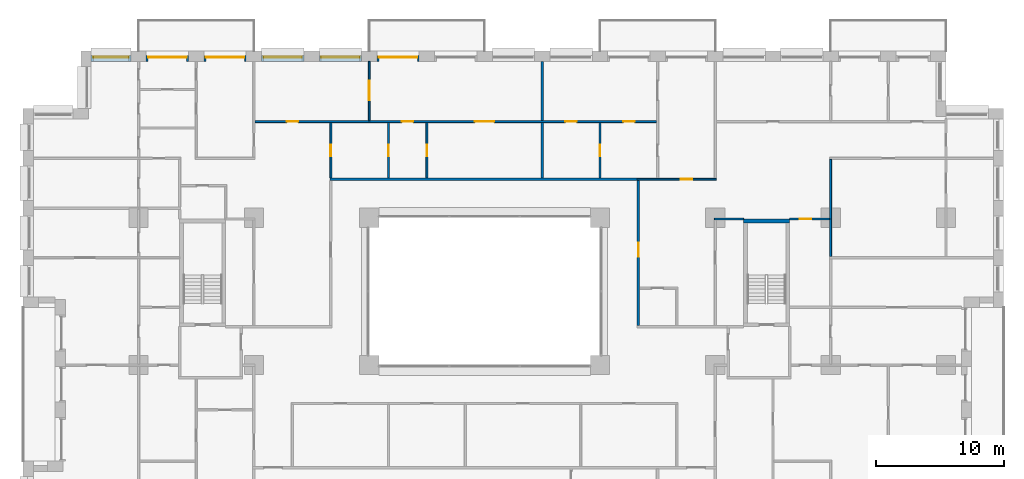
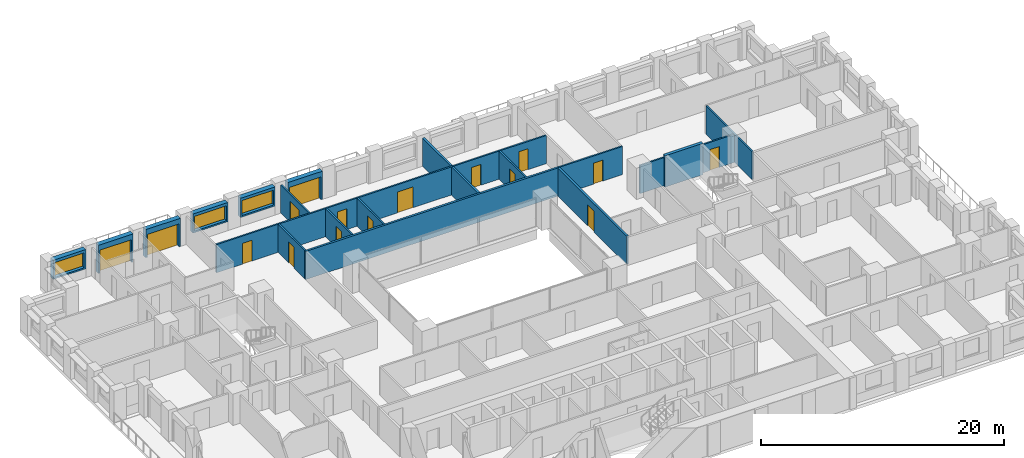
# One storey, part 14 of 19: 21 walls, 16 doors, 3 windows, 19 openings.
"""IFC4 building model written with IfcOpenShell, lengths in metres."""

from ifc_helpers import new_model, si_unit, direction, frame, frame_2d, origin, place, context, subcontext, project, spatial, rectangle, extrude, material, layer, layer_set, type_object, element, fill, save


model = new_model("IFC4")

# Units and contexts
model_context = context("Model", 3, precision=1e-05, world=origin(), true_north=direction((0.0, 1.0)))
body_context = subcontext(model_context, "Body", "Model", "MODEL_VIEW")
ifc_project = project(units=[si_unit("LENGTHUNIT", "METRE"), si_unit("AREAUNIT", "SQUARE_METRE"), si_unit("VOLUMEUNIT", "CUBIC_METRE"), si_unit("PLANEANGLEUNIT", "RADIAN"), si_unit("MASSUNIT", "GRAM", prefix="KILO")], contexts=[model_context])

# Site, building, storey
site_placement = place(None, origin())
site = spatial("IfcSite", under=ifc_project, at=site_placement, CompositionType="ELEMENT")
building_placement = place(site_placement, origin())
building = spatial("IfcBuilding", under=site, at=building_placement, Name="Brigalow Station Residences", CompositionType="ELEMENT")
storey_placement = place(building_placement, frame((0.0, 0.0, 32.10009765625)))
storey = spatial("IfcBuildingStorey", under=building, at=storey_placement, Name="L08", CompositionType="ELEMENT", Elevation=32.10009765625)

# Wall, opening, door
ifc_material_1 = material(Name="Clay brick masonry", Category="masonry")
ifc_layer_1 = layer(ifc_material_1, 0.449951171875)
ifc_layer_set_1 = layer_set([ifc_layer_1], Name="BRICK INFILL WALL 450")
wall_type_1 = type_object("IfcWallType", Name="BRICK INFILL WALL 450", PredefinedType="SOLIDWALL", material=ifc_layer_set_1)
wall_1_placement = place(storey_placement, frame((30.89990234375, 47.925048828125, 0.0), z_axis=(0.0, 0.0, 1.0), x_axis=(-1.0, 0.0, 0.0)))
wall_1 = element("IfcWall", 1, at=wall_1_placement, inside=storey, type_object=wall_type_1, Name="L08/ewall/W-L08-34", PredefinedType="SOLIDWALL", context=body_context, shape_type="SweptSolid", body=[
    extrude(rectangle(XDim=3.2998046875, YDim=0.449951171875, at=frame_2d((1.64990234375, 0.0))), origin(), (0.0, 0.0, 1.0), 2.829833984375),
])
opening_1_placement = place(wall_1_placement, frame((0.14990234375, 0.0, 0.0)))
opening_1 = element("IfcOpeningElement", 2, at=opening_1_placement, cuts=wall_1, Name="Opening D-B3000", PredefinedType="OPENING", context=body_context, shape_type="SweptSolid", body=[
    extrude(rectangle(XDim=3.0, YDim=2.300048828125, at=frame_2d((1.5, 1.14990234375))), frame((0.0, 0.23486328125, 0.0), z_axis=(0.0, -1.0, 0.0), x_axis=(1.0, 0.0, 0.0)), (0.0, 0.0, 1.0), 0.469970703125),
])
ifc_material_2 = material(Name="Anodised aluminium frame with double glazing", Category="aluminium")
door_type_1 = type_object("IfcDoorType", Name="BALCONY SLIDING DOOR 3000x2300", OperationType="SLIDING_TO_LEFT", PredefinedType="DOOR", material=ifc_material_2)
door_1_placement = place(opening_1_placement, origin())
door_1 = element("IfcDoor", 3, at=door_1_placement, inside=storey, type_object=door_type_1, Name="L08/balcony-door/W-L08-34", OperationType="SLIDING_TO_LEFT", OverallHeight=2.300048828125, OverallWidth=3.0, PredefinedType="DOOR", context=body_context, shape_type="SweptSolid", body=[
    extrude(rectangle(XDim=3.0, YDim=2.300048828125, at=frame_2d((1.5, 1.14990234375))), frame((0.0, -0.06982421875, 0.0), z_axis=(0.0, -1.0, 0.0), x_axis=(1.0, 0.0, 0.0)), (0.0, 0.0, 1.0), 0.050048828125),
])
fill(opening_1, door_1)

# Wall, opening, window
wall_2_placement = place(storey_placement, frame((26.39990234375, 47.925048828125, 0.89990234375), z_axis=(0.0, 0.0, 1.0), x_axis=(-1.0, 0.0, 0.0)))
wall_2 = element("IfcWall", 4, at=wall_2_placement, inside=storey, type_object=wall_type_1, Name="L08/ewall/W-L08-35", PredefinedType="SOLIDWALL", context=body_context, shape_type="SweptSolid", body=[
    extrude(rectangle(XDim=3.2998046875, YDim=0.449951171875, at=frame_2d((1.64990234375, 0.0))), origin(), (0.0, 0.0, 1.0), 1.929931640625),
])
opening_2_placement = place(wall_2_placement, frame((0.14990234375, 0.0, 0.14990234375)))
opening_2 = element("IfcOpeningElement", 5, at=opening_2_placement, cuts=wall_2, Name="Opening WT-2", PredefinedType="OPENING", context=body_context, shape_type="SweptSolid", body=[
    extrude(rectangle(XDim=3.0, YDim=1.5, at=frame_2d((1.5, 0.75))), frame((0.0, 0.23486328125, 0.0), z_axis=(0.0, -1.0, 0.0), x_axis=(1.0, 0.0, 0.0)), (0.0, 0.0, 1.0), 0.469970703125),
])
ifc_material_3 = material(Name="Anodised aluminium frame with double glazing", Category="aluminium")
window_type_1 = type_object("IfcWindowType", Name="WINDOW 3000x1500", PartitioningType="SINGLE_PANEL", PredefinedType="WINDOW", material=ifc_material_3)
window_1_placement = place(opening_2_placement, origin())
window_1 = element("IfcWindow", 6, at=window_1_placement, inside=storey, type_object=window_type_1, Name="L08/window/W-L08-35", OverallHeight=1.5, OverallWidth=3.0, PartitioningType="SINGLE_PANEL", PredefinedType="WINDOW", context=body_context, shape_type="SweptSolid", body=[
    extrude(rectangle(XDim=3.0, YDim=1.5, at=frame_2d((1.5, 0.75))), frame((0.0, -0.06494140625, 0.0), z_axis=(0.0, -1.0, 0.0), x_axis=(1.0, 0.0, 0.0)), (0.0, 0.0, 1.0), 0.06005859375),
])
fill(opening_2, window_1)

wall_3_placement = place(storey_placement, frame((21.89990234375, 47.925048828125, 0.89990234375), z_axis=(0.0, 0.0, 1.0), x_axis=(-1.0, 0.0, 0.0)))
wall_3 = element("IfcWall", 7, at=wall_3_placement, inside=storey, type_object=wall_type_1, Name="L08/ewall/W-L08-36", PredefinedType="SOLIDWALL", context=body_context, shape_type="SweptSolid", body=[
    extrude(rectangle(XDim=3.2998046875, YDim=0.449951171875, at=frame_2d((1.64990234375, 0.0))), origin(), (0.0, 0.0, 1.0), 1.929931640625),
])
opening_3_placement = place(wall_3_placement, frame((0.14990234375, 0.0, 0.14990234375)))
opening_3 = element("IfcOpeningElement", 8, at=opening_3_placement, cuts=wall_3, Name="Opening WT-2", PredefinedType="OPENING", context=body_context, shape_type="SweptSolid", body=[
    extrude(rectangle(XDim=3.0, YDim=1.5, at=frame_2d((1.5, 0.75))), frame((0.0, 0.23486328125, 0.0), z_axis=(0.0, -1.0, 0.0), x_axis=(1.0, 0.0, 0.0)), (0.0, 0.0, 1.0), 0.469970703125),
])
window_2_placement = place(opening_3_placement, origin())
window_2 = element("IfcWindow", 9, at=window_2_placement, inside=storey, type_object=window_type_1, Name="L08/window/W-L08-36", OverallHeight=1.5, OverallWidth=3.0, PartitioningType="SINGLE_PANEL", PredefinedType="WINDOW", context=body_context, shape_type="SweptSolid", body=[
    extrude(rectangle(XDim=3.0, YDim=1.5, at=frame_2d((1.5, 0.75))), frame((0.0, -0.06494140625, 0.0), z_axis=(0.0, -1.0, 0.0), x_axis=(1.0, 0.0, 0.0)), (0.0, 0.0, 1.0), 0.06005859375),
])
fill(opening_3, window_2)

# Wall, opening, door
wall_4_placement = place(storey_placement, frame((17.39990234375, 47.925048828125, 0.0), z_axis=(0.0, 0.0, 1.0), x_axis=(-1.0, 0.0, 0.0)))
wall_4 = element("IfcWall", 10, at=wall_4_placement, inside=storey, type_object=wall_type_1, Name="L08/ewall/W-L08-37", PredefinedType="SOLIDWALL", context=body_context, shape_type="SweptSolid", body=[
    extrude(rectangle(XDim=3.2998046875, YDim=0.449951171875, at=frame_2d((1.64990234375, 0.0))), origin(), (0.0, 0.0, 1.0), 2.829833984375),
])
opening_4_placement = place(wall_4_placement, frame((0.14990234375, 0.0, 0.0)))
opening_4 = element("IfcOpeningElement", 11, at=opening_4_placement, cuts=wall_4, Name="Opening D-B3000", PredefinedType="OPENING", context=body_context, shape_type="SweptSolid", body=[
    extrude(rectangle(XDim=3.0, YDim=2.300048828125, at=frame_2d((1.5, 1.14990234375))), frame((0.0, 0.23486328125, 0.0), z_axis=(0.0, -1.0, 0.0), x_axis=(1.0, 0.0, 0.0)), (0.0, 0.0, 1.0), 0.469970703125),
])
door_2_placement = place(opening_4_placement, origin())
door_2 = element("IfcDoor", 12, at=door_2_placement, inside=storey, type_object=door_type_1, Name="L08/balcony-door/W-L08-37", OperationType="SLIDING_TO_LEFT", OverallHeight=2.300048828125, OverallWidth=3.0, PredefinedType="DOOR", context=body_context, shape_type="SweptSolid", body=[
    extrude(rectangle(XDim=3.0, YDim=2.300048828125, at=frame_2d((1.5, 1.14990234375))), frame((0.0, -0.06982421875, 0.0), z_axis=(0.0, -1.0, 0.0), x_axis=(1.0, 0.0, 0.0)), (0.0, 0.0, 1.0), 0.050048828125),
])
fill(opening_4, door_2)

wall_5_placement = place(storey_placement, frame((12.89990234375, 47.925048828125, 0.0), z_axis=(0.0, 0.0, 1.0), x_axis=(-1.0, 0.0, 0.0)))
wall_5 = element("IfcWall", 13, at=wall_5_placement, inside=storey, type_object=wall_type_1, Name="L08/ewall/W-L08-38", PredefinedType="SOLIDWALL", context=body_context, shape_type="SweptSolid", body=[
    extrude(rectangle(XDim=3.2998046875, YDim=0.449951171875, at=frame_2d((1.64990234375, 0.0))), origin(), (0.0, 0.0, 1.0), 2.829833984375),
])
opening_5_placement = place(wall_5_placement, frame((0.14990234375, 0.0, 0.0)))
opening_5 = element("IfcOpeningElement", 14, at=opening_5_placement, cuts=wall_5, Name="Opening D-B3000", PredefinedType="OPENING", context=body_context, shape_type="SweptSolid", body=[
    extrude(rectangle(XDim=3.0, YDim=2.300048828125, at=frame_2d((1.5, 1.14990234375))), frame((0.0, 0.23486328125, 0.0), z_axis=(0.0, -1.0, 0.0), x_axis=(1.0, 0.0, 0.0)), (0.0, 0.0, 1.0), 0.469970703125),
])
door_3_placement = place(opening_5_placement, origin())
door_3 = element("IfcDoor", 15, at=door_3_placement, inside=storey, type_object=door_type_1, Name="L08/balcony-door/W-L08-38", OperationType="SLIDING_TO_LEFT", OverallHeight=2.300048828125, OverallWidth=3.0, PredefinedType="DOOR", context=body_context, shape_type="SweptSolid", body=[
    extrude(rectangle(XDim=3.0, YDim=2.300048828125, at=frame_2d((1.5, 1.14990234375))), frame((0.0, -0.06982421875, 0.0), z_axis=(0.0, -1.0, 0.0), x_axis=(1.0, 0.0, 0.0)), (0.0, 0.0, 1.0), 0.050048828125),
])
fill(opening_5, door_3)

# Wall, opening, window
wall_6_placement = place(storey_placement, frame((8.39990234375, 47.925048828125, 0.89990234375), z_axis=(0.0, 0.0, 1.0), x_axis=(-1.0, 0.0, 0.0)))
wall_6 = element("IfcWall", 16, at=wall_6_placement, inside=storey, type_object=wall_type_1, Name="L08/ewall/W-L08-39", PredefinedType="SOLIDWALL", context=body_context, shape_type="SweptSolid", body=[
    extrude(rectangle(XDim=3.099853515625, YDim=0.449951171875, at=frame_2d((1.5498046875, 0.0))), origin(), (0.0, 0.0, 1.0), 1.929931640625),
])
opening_6_placement = place(wall_6_placement, frame((0.175048828125, 0.0, 0.14990234375)))
opening_6 = element("IfcOpeningElement", 17, at=opening_6_placement, cuts=wall_6, Name="Opening WT-3", PredefinedType="OPENING", context=body_context, shape_type="SweptSolid", body=[
    extrude(rectangle(XDim=2.75, YDim=1.5, at=frame_2d((1.375, 0.75))), frame((0.0, 0.23486328125, 0.0), z_axis=(0.0, -1.0, 0.0), x_axis=(1.0, 0.0, 0.0)), (0.0, 0.0, 1.0), 0.469970703125),
])
ifc_material_4 = material(Name="Anodised aluminium frame with double glazing", Category="aluminium")
window_type_2 = type_object("IfcWindowType", Name="WINDOW 2750x1500", PartitioningType="SINGLE_PANEL", PredefinedType="WINDOW", material=ifc_material_4)
window_3_placement = place(opening_6_placement, origin())
window_3 = element("IfcWindow", 18, at=window_3_placement, inside=storey, type_object=window_type_2, Name="L08/window/W-L08-39", OverallHeight=1.5, OverallWidth=2.75, PartitioningType="SINGLE_PANEL", PredefinedType="WINDOW", context=body_context, shape_type="SweptSolid", body=[
    extrude(rectangle(XDim=2.75, YDim=1.5, at=frame_2d((1.375, 0.75))), frame((0.0, -0.06494140625, 0.0), z_axis=(0.0, -1.0, 0.0), x_axis=(1.0, 0.0, 0.0)), (0.0, 0.0, 1.0), 0.06005859375),
])
fill(opening_6, window_3)

# Wall
ifc_material_5 = material(Name="Concrete C80", Category="concrete")
ifc_layer_2 = layer(ifc_material_5, 0.300048828125)
ifc_layer_set_2 = layer_set([ifc_layer_2], Name="CORE SHEAR WALL 300 C80")
wall_type_2 = type_object("IfcWallType", Name="CORE SHEAR WALL 300 C80", PredefinedType="SHEAR", material=ifc_layer_set_2)
wall_7_placement = place(storey_placement, frame((56.199951171875, 35.25, 0.0), z_axis=(0.0, 0.0, 1.0), x_axis=(1.0, 0.0, 0.0)))
element("IfcWall", 19, at=wall_7_placement, inside=storey, type_object=wall_type_2, Name="CORE WALL ST-S3-N L08", PredefinedType="SHEAR", context=body_context, shape_type="SweptSolid", body=[
    extrude(rectangle(XDim=3.60009765625, YDim=0.300048828125, at=frame_2d((1.800048828125, 0.0))), origin(), (0.0, 0.0, 1.0), 3.14990234375),
])

# Wall, opening, door
ifc_material_6 = material(Name="Plasterboard on steel stud partition", Category="steel")
ifc_layer_3 = layer(ifc_material_6, 0.14990234375)
ifc_layer_set_3 = layer_set([ifc_layer_3], Name="FLAT PARTITION 150")
wall_type_3 = type_object("IfcWallType", Name="FLAT PARTITION 150", PredefinedType="PARTITIONING", material=ifc_layer_set_3)
wall_8_placement = place(storey_placement, frame((47.89990234375, 38.5, 0.0), z_axis=(0.0, 0.0, 1.0), x_axis=(1.0, 0.0, 0.0)))
wall_8 = element("IfcWall", 20, at=wall_8_placement, inside=storey, type_object=wall_type_3, Name="PW-1B08", PredefinedType="PARTITIONING", context=body_context, shape_type="SweptSolid", body=[
    extrude(rectangle(XDim=6.175048828125, YDim=0.14990234375, at=frame_2d((3.08740234375, 0.0))), origin(), (0.0, 0.0, 1.0), 2.829833984375),
])
opening_7_placement = place(wall_8_placement, frame((3.39990234375, 0.0, 0.0)))
opening_7 = element("IfcOpeningElement", 21, at=opening_7_placement, cuts=wall_8, Name="Opening D-1B43", PredefinedType="OPENING", context=body_context, shape_type="SweptSolid", body=[
    extrude(rectangle(XDim=0.89990234375, YDim=2.10009765625, at=frame_2d((0.449951171875, 1.050048828125))), frame((0.0, 0.0849609375, 0.0), z_axis=(0.0, -1.0, 0.0), x_axis=(1.0, 0.0, 0.0)), (0.0, 0.0, 1.0), 0.169921875),
])
ifc_material_7 = material(Name="Solid-core timber door leaf", Category="wood")
door_type_2 = type_object("IfcDoorType", Name="INTERNAL DOOR 900 x 2100", OperationType="SINGLE_SWING_LEFT", PredefinedType="DOOR", material=ifc_material_7)
door_4_placement = place(opening_7_placement, origin())
door_4 = element("IfcDoor", 22, at=door_4_placement, inside=storey, type_object=door_type_2, Name="D-1B43", OperationType="SINGLE_SWING_RIGHT", OverallHeight=2.10009765625, OverallWidth=0.89990234375, PredefinedType="DOOR", context=body_context, shape_type="SweptSolid", body=[
    extrude(rectangle(XDim=0.89990234375, YDim=2.10009765625, at=frame_2d((0.449951171875, 1.050048828125))), frame((0.0, 0.02490234375, 0.0), z_axis=(0.0, -1.0, 0.0), x_axis=(1.0, 0.0, 0.0)), (0.0, 0.0, 1.0), 0.050048828125),
])
fill(opening_7, door_4)

# Wall, openings, doors
wall_9_placement = place(storey_placement, frame((18.074951171875, 43.0, 0.0), z_axis=(0.0, 0.0, 1.0), x_axis=(1.0, 0.0, 0.0)))
wall_9 = element("IfcWall", 23, at=wall_9_placement, inside=storey, type_object=wall_type_3, Name="PW-1B23", PredefinedType="PARTITIONING", context=body_context, shape_type="SweptSolid", body=[
    extrude(rectangle(XDim=31.35009765625, YDim=0.14990234375, at=frame_2d((15.675048828125, 0.0))), origin(), (0.0, 0.0, 1.0), 2.829833984375),
])
opening_8_placement = place(wall_9_placement, frame((17.175048828125, 0.0, 0.0)))
opening_8 = element("IfcOpeningElement", 24, at=opening_8_placement, cuts=wall_9, Name="Opening D-1B22", PredefinedType="OPENING", context=body_context, shape_type="SweptSolid", body=[
    extrude(rectangle(XDim=1.5, YDim=2.10009765625, at=frame_2d((0.75, 1.050048828125))), frame((0.0, 0.0849609375, 0.0), z_axis=(0.0, -1.0, 0.0), x_axis=(1.0, 0.0, 0.0)), (0.0, 0.0, 1.0), 0.169921875),
])
opening_9_placement = place(wall_9_placement, frame((11.47509765625, 0.0, 0.0)))
opening_9 = element("IfcOpeningElement", 25, at=opening_9_placement, cuts=wall_9, Name="Opening D-1B24", PredefinedType="OPENING", context=body_context, shape_type="SweptSolid", body=[
    extrude(rectangle(XDim=0.89990234375, YDim=2.10009765625, at=frame_2d((0.449951171875, 1.050048828125))), frame((0.0, 0.0849609375, 0.0), z_axis=(0.0, -1.0, 0.0), x_axis=(1.0, 0.0, 0.0)), (0.0, 0.0, 1.0), 0.169921875),
])
opening_10_placement = place(wall_9_placement, frame((2.47509765625, 0.0, 0.0)))
opening_10 = element("IfcOpeningElement", 26, at=opening_10_placement, cuts=wall_9, Name="Opening D-1B30", PredefinedType="OPENING", context=body_context, shape_type="SweptSolid", body=[
    extrude(rectangle(XDim=0.89990234375, YDim=2.10009765625, at=frame_2d((0.449951171875, 1.050048828125))), frame((0.0, 0.0849609375, 0.0), z_axis=(0.0, -1.0, 0.0), x_axis=(1.0, 0.0, 0.0)), (0.0, 0.0, 1.0), 0.169921875),
])
opening_11_placement = place(wall_9_placement, frame((24.22509765625, 0.0, 0.0)))
opening_11 = element("IfcOpeningElement", 27, at=opening_11_placement, cuts=wall_9, Name="Opening D-1B39", PredefinedType="OPENING", context=body_context, shape_type="SweptSolid", body=[
    extrude(rectangle(XDim=0.89990234375, YDim=2.10009765625, at=frame_2d((0.449951171875, 1.050048828125))), frame((0.0, 0.0849609375, 0.0), z_axis=(0.0, -1.0, 0.0), x_axis=(1.0, 0.0, 0.0)), (0.0, 0.0, 1.0), 0.169921875),
])
opening_12_placement = place(wall_9_placement, frame((28.72509765625, 0.0, 0.0)))
opening_12 = element("IfcOpeningElement", 28, at=opening_12_placement, cuts=wall_9, Name="Opening D-1B41", PredefinedType="OPENING", context=body_context, shape_type="SweptSolid", body=[
    extrude(rectangle(XDim=0.89990234375, YDim=2.10009765625, at=frame_2d((0.449951171875, 1.050048828125))), frame((0.0, 0.0849609375, 0.0), z_axis=(0.0, -1.0, 0.0), x_axis=(1.0, 0.0, 0.0)), (0.0, 0.0, 1.0), 0.169921875),
])
door_5_placement = place(opening_9_placement, frame((0.89990234375, 0.0, 0.0), z_axis=(0.0, 0.0, 1.0), x_axis=(-1.0, 0.0, 0.0)))
door_5 = element("IfcDoor", 29, at=door_5_placement, inside=storey, type_object=door_type_2, Name="D-1B24", OperationType="SINGLE_SWING_RIGHT", OverallHeight=2.10009765625, OverallWidth=0.89990234375, PredefinedType="DOOR", context=body_context, shape_type="SweptSolid", body=[
    extrude(rectangle(XDim=0.89990234375, YDim=2.10009765625, at=frame_2d((0.449951171875, 1.050048828125))), frame((0.0, 0.02490234375, 0.0), z_axis=(0.0, -1.0, 0.0), x_axis=(1.0, 0.0, 0.0)), (0.0, 0.0, 1.0), 0.050048828125),
])
fill(opening_9, door_5)
door_6_placement = place(opening_10_placement, origin())
door_6 = element("IfcDoor", 30, at=door_6_placement, inside=storey, type_object=door_type_2, Name="D-1B30", OperationType="SINGLE_SWING_LEFT", OverallHeight=2.10009765625, OverallWidth=0.89990234375, PredefinedType="DOOR", context=body_context, shape_type="SweptSolid", body=[
    extrude(rectangle(XDim=0.89990234375, YDim=2.10009765625, at=frame_2d((0.449951171875, 1.050048828125))), frame((0.0, 0.02490234375, 0.0), z_axis=(0.0, -1.0, 0.0), x_axis=(1.0, 0.0, 0.0)), (0.0, 0.0, 1.0), 0.050048828125),
])
fill(opening_10, door_6)
door_7_placement = place(opening_11_placement, frame((0.89990234375, 0.0, 0.0), z_axis=(0.0, 0.0, 1.0), x_axis=(-1.0, 0.0, 0.0)))
door_7 = element("IfcDoor", 31, at=door_7_placement, inside=storey, type_object=door_type_2, Name="D-1B39", OperationType="SINGLE_SWING_RIGHT", OverallHeight=2.10009765625, OverallWidth=0.89990234375, PredefinedType="DOOR", context=body_context, shape_type="SweptSolid", body=[
    extrude(rectangle(XDim=0.89990234375, YDim=2.10009765625, at=frame_2d((0.449951171875, 1.050048828125))), frame((0.0, 0.02490234375, 0.0), z_axis=(0.0, -1.0, 0.0), x_axis=(1.0, 0.0, 0.0)), (0.0, 0.0, 1.0), 0.050048828125),
])
fill(opening_11, door_7)
door_8_placement = place(opening_12_placement, frame((0.89990234375, 0.0, 0.0), z_axis=(0.0, 0.0, 1.0), x_axis=(-1.0, 0.0, 0.0)))
door_8 = element("IfcDoor", 32, at=door_8_placement, inside=storey, type_object=door_type_2, Name="D-1B41", OperationType="SINGLE_SWING_RIGHT", OverallHeight=2.10009765625, OverallWidth=0.89990234375, PredefinedType="DOOR", context=body_context, shape_type="SweptSolid", body=[
    extrude(rectangle(XDim=0.89990234375, YDim=2.10009765625, at=frame_2d((0.449951171875, 1.050048828125))), frame((0.0, 0.02490234375, 0.0), z_axis=(0.0, -1.0, 0.0), x_axis=(1.0, 0.0, 0.0)), (0.0, 0.0, 1.0), 0.050048828125),
])
fill(opening_12, door_8)
ifc_material_8 = material(Name="Solid-core timber door leaf", Category="wood")
door_type_3 = type_object("IfcDoorType", Name="INTERNAL DOUBLE DOOR 1500 x 2100", OperationType="DOUBLE_DOOR_SINGLE_SWING", PredefinedType="DOOR", material=ifc_material_8)
door_9_placement = place(opening_8_placement, frame((1.5, 0.0, 0.0), z_axis=(0.0, 0.0, 1.0), x_axis=(-1.0, 0.0, 0.0)))
door_9 = element("IfcDoor", 33, at=door_9_placement, inside=storey, type_object=door_type_3, Name="D-1B22", OperationType="DOUBLE_DOOR_SINGLE_SWING", OverallHeight=2.10009765625, OverallWidth=1.5, PredefinedType="DOOR", context=body_context, shape_type="SweptSolid", body=[
    extrude(rectangle(XDim=1.5, YDim=2.10009765625, at=frame_2d((0.75, 1.050048828125))), frame((0.0, 0.02490234375, 0.0), z_axis=(0.0, -1.0, 0.0), x_axis=(1.0, 0.0, 0.0)), (0.0, 0.0, 1.0), 0.050048828125),
])
fill(opening_8, door_9)

# Wall
wall_10_placement = place(storey_placement, frame((53.925048828125, 35.39990234375, 0.0), z_axis=(0.0, 0.0, 1.0), x_axis=(1.0, 0.0, 0.0)))
element("IfcWall", 34, at=wall_10_placement, inside=storey, type_object=wall_type_3, Name="PW-1B27", PredefinedType="PARTITIONING", context=body_context, shape_type="SweptSolid", body=[
    extrude(rectangle(XDim=2.27490234375, YDim=0.14990234375, at=frame_2d((1.137451171875, 0.0))), origin(), (0.0, 0.0, 1.0), 2.829833984375),
])

# Wall, opening, door
wall_11_placement = place(storey_placement, frame((59.800048828125, 35.39990234375, 0.0), z_axis=(0.0, 0.0, 1.0), x_axis=(1.0, 0.0, 0.0)))
wall_11 = element("IfcWall", 35, at=wall_11_placement, inside=storey, type_object=wall_type_3, Name="PW-1B28", PredefinedType="PARTITIONING", context=body_context, shape_type="SweptSolid", body=[
    extrude(rectangle(XDim=3.125, YDim=0.14990234375, at=frame_2d((1.5625, 0.0))), origin(), (0.0, 0.0, 1.0), 2.829833984375),
])
opening_13_placement = place(wall_11_placement, frame((0.77490234375, 0.0, 0.0)))
opening_13 = element("IfcOpeningElement", 36, at=opening_13_placement, cuts=wall_11, Name="Opening D-1B48", PredefinedType="OPENING", context=body_context, shape_type="SweptSolid", body=[
    extrude(rectangle(XDim=0.89990234375, YDim=2.10009765625, at=frame_2d((0.449951171875, 1.050048828125))), frame((0.0, 0.0849609375, 0.0), z_axis=(0.0, -1.0, 0.0), x_axis=(1.0, 0.0, 0.0)), (0.0, 0.0, 1.0), 0.169921875),
])
door_10_placement = place(opening_13_placement, frame((0.89990234375, 0.0, 0.0), z_axis=(0.0, 0.0, 1.0), x_axis=(-1.0, 0.0, 0.0)))
door_10 = element("IfcDoor", 37, at=door_10_placement, inside=storey, type_object=door_type_2, Name="D-1B48", OperationType="SINGLE_SWING_RIGHT", OverallHeight=2.10009765625, OverallWidth=0.89990234375, PredefinedType="DOOR", context=body_context, shape_type="SweptSolid", body=[
    extrude(rectangle(XDim=0.89990234375, YDim=2.10009765625, at=frame_2d((0.449951171875, 1.050048828125))), frame((0.0, 0.02490234375, 0.0), z_axis=(0.0, -1.0, 0.0), x_axis=(1.0, 0.0, 0.0)), (0.0, 0.0, 1.0), 0.050048828125),
])
fill(opening_13, door_10)

wall_12_placement = place(storey_placement, frame((24.0, 38.60009765625, 0.0), z_axis=(0.0, 0.0, 1.0), x_axis=(0.0, 1.0, 0.0)))
wall_12 = element("IfcWall", 38, at=wall_12_placement, inside=storey, type_object=wall_type_3, Name="PW-1B46", PredefinedType="PARTITIONING", context=body_context, shape_type="SweptSolid", body=[
    extrude(rectangle(XDim=4.324951171875, YDim=0.14990234375, at=frame_2d((2.16259765625, 0.0))), origin(), (0.0, 0.0, 1.0), 2.829833984375),
])
opening_14_placement = place(wall_12_placement, frame((1.699951171875, 0.0, 0.0)))
opening_14 = element("IfcOpeningElement", 39, at=opening_14_placement, cuts=wall_12, Name="Opening D-1B28", PredefinedType="OPENING", context=body_context, shape_type="SweptSolid", body=[
    extrude(rectangle(XDim=0.89990234375, YDim=2.10009765625, at=frame_2d((0.449951171875, 1.050048828125))), frame((0.0, 0.0849609375, 0.0), z_axis=(0.0, -1.0, 0.0), x_axis=(1.0, 0.0, 0.0)), (0.0, 0.0, 1.0), 0.169921875),
])
door_11_placement = place(opening_14_placement, frame((0.89990234375, 0.0, 0.0), z_axis=(0.0, 0.0, 1.0), x_axis=(-1.0, 0.0, 0.0)))
door_11 = element("IfcDoor", 40, at=door_11_placement, inside=storey, type_object=door_type_2, Name="D-1B28", OperationType="SINGLE_SWING_RIGHT", OverallHeight=2.10009765625, OverallWidth=0.89990234375, PredefinedType="DOOR", context=body_context, shape_type="SweptSolid", body=[
    extrude(rectangle(XDim=0.89990234375, YDim=2.10009765625, at=frame_2d((0.449951171875, 1.050048828125))), frame((0.0, 0.02490234375, 0.0), z_axis=(0.0, -1.0, 0.0), x_axis=(1.0, 0.0, 0.0)), (0.0, 0.0, 1.0), 0.050048828125),
])
fill(opening_14, door_11)

wall_13_placement = place(storey_placement, frame((27.0, 43.074951171875, 0.0), z_axis=(0.0, 0.0, 1.0), x_axis=(0.0, 1.0, 0.0)))
wall_13 = element("IfcWall", 41, at=wall_13_placement, inside=storey, type_object=wall_type_3, Name="PW-1B62", PredefinedType="PARTITIONING", context=body_context, shape_type="SweptSolid", body=[
    extrude(rectangle(XDim=4.625, YDim=0.14990234375, at=frame_2d((2.3125, 0.0))), origin(), (0.0, 0.0, 1.0), 2.829833984375),
])
opening_15_placement = place(wall_13_placement, frame((1.60009765625, 0.0, 0.0)))
opening_15 = element("IfcOpeningElement", 42, at=opening_15_placement, cuts=wall_13, Name="Opening D-1B23", PredefinedType="OPENING", context=body_context, shape_type="SweptSolid", body=[
    extrude(rectangle(XDim=1.5, YDim=2.10009765625, at=frame_2d((0.75, 1.050048828125))), frame((0.0, 0.0849609375, 0.0), z_axis=(0.0, -1.0, 0.0), x_axis=(1.0, 0.0, 0.0)), (0.0, 0.0, 1.0), 0.169921875),
])
door_12_placement = place(opening_15_placement, origin())
door_12 = element("IfcDoor", 43, at=door_12_placement, inside=storey, type_object=door_type_3, Name="D-1B23", OperationType="DOUBLE_DOOR_SINGLE_SWING", OverallHeight=2.10009765625, OverallWidth=1.5, PredefinedType="DOOR", context=body_context, shape_type="SweptSolid", body=[
    extrude(rectangle(XDim=1.5, YDim=2.10009765625, at=frame_2d((0.75, 1.050048828125))), frame((0.0, 0.02490234375, 0.0), z_axis=(0.0, -1.0, 0.0), x_axis=(1.0, 0.0, 0.0)), (0.0, 0.0, 1.0), 0.050048828125),
])
fill(opening_15, door_12)

wall_14_placement = place(storey_placement, frame((28.5, 38.60009765625, 0.0), z_axis=(0.0, 0.0, 1.0), x_axis=(0.0, 1.0, 0.0)))
wall_14 = element("IfcWall", 44, at=wall_14_placement, inside=storey, type_object=wall_type_3, Name="PW-1B64", PredefinedType="PARTITIONING", context=body_context, shape_type="SweptSolid", body=[
    extrude(rectangle(XDim=4.324951171875, YDim=0.14990234375, at=frame_2d((2.16259765625, 0.0))), origin(), (0.0, 0.0, 1.0), 2.829833984375),
])
opening_16_placement = place(wall_14_placement, frame((1.699951171875, 0.0, 0.0)))
opening_16 = element("IfcOpeningElement", 45, at=opening_16_placement, cuts=wall_14, Name="Opening D-1B34", PredefinedType="OPENING", context=body_context, shape_type="SweptSolid", body=[
    extrude(rectangle(XDim=0.89990234375, YDim=2.10009765625, at=frame_2d((0.449951171875, 1.050048828125))), frame((0.0, 0.0849609375, 0.0), z_axis=(0.0, -1.0, 0.0), x_axis=(1.0, 0.0, 0.0)), (0.0, 0.0, 1.0), 0.169921875),
])
door_13_placement = place(opening_16_placement, frame((0.89990234375, 0.0, 0.0), z_axis=(0.0, 0.0, 1.0), x_axis=(-1.0, 0.0, 0.0)))
door_13 = element("IfcDoor", 46, at=door_13_placement, inside=storey, type_object=door_type_2, Name="D-1B34", OperationType="SINGLE_SWING_RIGHT", OverallHeight=2.10009765625, OverallWidth=0.89990234375, PredefinedType="DOOR", context=body_context, shape_type="SweptSolid", body=[
    extrude(rectangle(XDim=0.89990234375, YDim=2.10009765625, at=frame_2d((0.449951171875, 1.050048828125))), frame((0.0, 0.02490234375, 0.0), z_axis=(0.0, -1.0, 0.0), x_axis=(1.0, 0.0, 0.0)), (0.0, 0.0, 1.0), 0.050048828125),
])
fill(opening_16, door_13)

wall_15_placement = place(storey_placement, frame((31.5, 38.60009765625, 0.0), z_axis=(0.0, 0.0, 1.0), x_axis=(0.0, 1.0, 0.0)))
wall_15 = element("IfcWall", 47, at=wall_15_placement, inside=storey, type_object=wall_type_3, Name="PW-1B65", PredefinedType="PARTITIONING", context=body_context, shape_type="SweptSolid", body=[
    extrude(rectangle(XDim=4.324951171875, YDim=0.14990234375, at=frame_2d((2.16259765625, 0.0))), origin(), (0.0, 0.0, 1.0), 2.829833984375),
])
opening_17_placement = place(wall_15_placement, frame((1.699951171875, 0.0, 0.0)))
opening_17 = element("IfcOpeningElement", 48, at=opening_17_placement, cuts=wall_15, Name="Opening D-1B35", PredefinedType="OPENING", context=body_context, shape_type="SweptSolid", body=[
    extrude(rectangle(XDim=0.89990234375, YDim=2.10009765625, at=frame_2d((0.449951171875, 1.050048828125))), frame((0.0, 0.0849609375, 0.0), z_axis=(0.0, -1.0, 0.0), x_axis=(1.0, 0.0, 0.0)), (0.0, 0.0, 1.0), 0.169921875),
])
door_14_placement = place(opening_17_placement, origin())
door_14 = element("IfcDoor", 49, at=door_14_placement, inside=storey, type_object=door_type_2, Name="D-1B35", OperationType="SINGLE_SWING_LEFT", OverallHeight=2.10009765625, OverallWidth=0.89990234375, PredefinedType="DOOR", context=body_context, shape_type="SweptSolid", body=[
    extrude(rectangle(XDim=0.89990234375, YDim=2.10009765625, at=frame_2d((0.449951171875, 1.050048828125))), frame((0.0, 0.02490234375, 0.0), z_axis=(0.0, -1.0, 0.0), x_axis=(1.0, 0.0, 0.0)), (0.0, 0.0, 1.0), 0.050048828125),
])
fill(opening_17, door_14)

# Wall
wall_16_placement = place(storey_placement, frame((63.0, 32.47509765625, 0.0), z_axis=(0.0, 0.0, 1.0), x_axis=(0.0, 1.0, 0.0)))
element("IfcWall", 50, at=wall_16_placement, inside=storey, type_object=wall_type_3, Name="PW-1B71", PredefinedType="PARTITIONING", context=body_context, shape_type="SweptSolid", body=[
    extrude(rectangle(XDim=7.574951171875, YDim=0.14990234375, at=frame_2d((3.78759765625, 0.0))), origin(), (0.0, 0.0, 1.0), 2.829833984375),
])

# Wall, opening, door
wall_17_placement = place(storey_placement, frame((45.0, 38.60009765625, 0.0), z_axis=(0.0, 0.0, 1.0), x_axis=(0.0, 1.0, 0.0)))
wall_17 = element("IfcWall", 51, at=wall_17_placement, inside=storey, type_object=wall_type_3, Name="PW-1B82", PredefinedType="PARTITIONING", context=body_context, shape_type="SweptSolid", body=[
    extrude(rectangle(XDim=4.324951171875, YDim=0.14990234375, at=frame_2d((2.16259765625, 0.0))), origin(), (0.0, 0.0, 1.0), 2.829833984375),
])
opening_18_placement = place(wall_17_placement, frame((1.699951171875, 0.0, 0.0)))
opening_18 = element("IfcOpeningElement", 52, at=opening_18_placement, cuts=wall_17, Name="Opening D-1B50", PredefinedType="OPENING", context=body_context, shape_type="SweptSolid", body=[
    extrude(rectangle(XDim=0.89990234375, YDim=2.10009765625, at=frame_2d((0.449951171875, 1.050048828125))), frame((0.0, 0.0849609375, 0.0), z_axis=(0.0, -1.0, 0.0), x_axis=(1.0, 0.0, 0.0)), (0.0, 0.0, 1.0), 0.169921875),
])
door_15_placement = place(opening_18_placement, frame((0.89990234375, 0.0, 0.0), z_axis=(0.0, 0.0, 1.0), x_axis=(-1.0, 0.0, 0.0)))
door_15 = element("IfcDoor", 53, at=door_15_placement, inside=storey, type_object=door_type_2, Name="D-1B50", OperationType="SINGLE_SWING_RIGHT", OverallHeight=2.10009765625, OverallWidth=0.89990234375, PredefinedType="DOOR", context=body_context, shape_type="SweptSolid", body=[
    extrude(rectangle(XDim=0.89990234375, YDim=2.10009765625, at=frame_2d((0.449951171875, 1.050048828125))), frame((0.0, 0.02490234375, 0.0), z_axis=(0.0, -1.0, 0.0), x_axis=(1.0, 0.0, 0.0)), (0.0, 0.0, 1.0), 0.050048828125),
])
fill(opening_18, door_15)

# Wall
ifc_material_9 = material(Name="Plasterboard on steel stud partition", Category="steel")
ifc_layer_4 = layer(ifc_material_9, 0.199951171875)
ifc_layer_set_4 = layer_set([ifc_layer_4], Name="PARTY AND CORRIDOR WALL 200")
wall_type_4 = type_object("IfcWallType", Name="PARTY AND CORRIDOR WALL 200", PredefinedType="PARTITIONING", material=ifc_layer_set_4)
wall_18_placement = place(storey_placement, frame((23.925048828125, 38.5, 0.0), z_axis=(0.0, 0.0, 1.0), x_axis=(1.0, 0.0, 0.0)))
element("IfcWall", 54, at=wall_18_placement, inside=storey, type_object=wall_type_4, Name="PW-1B09", PredefinedType="PARTITIONING", context=body_context, shape_type="SweptSolid", body=[
    extrude(rectangle(XDim=24.175048828125, YDim=0.199951171875, at=frame_2d((12.08740234375, 0.0))), origin(), (0.0, 0.0, 1.0), 2.829833984375),
])

# Wall, opening, door
wall_19_placement = place(storey_placement, frame((48.0, 27.10009765625, 0.0), z_axis=(0.0, 0.0, 1.0), x_axis=(0.0, 1.0, 0.0)))
wall_19 = element("IfcWall", 55, at=wall_19_placement, inside=storey, type_object=wall_type_4, Name="PW-1B48", PredefinedType="PARTITIONING", context=body_context, shape_type="SweptSolid", body=[
    extrude(rectangle(XDim=11.324951171875, YDim=0.199951171875, at=frame_2d((5.66259765625, 0.0))), origin(), (0.0, 0.0, 1.0), 2.829833984375),
])
opening_19_placement = place(wall_19_placement, frame((5.35009765625, 0.0, 0.0)))
opening_19 = element("IfcOpeningElement", 56, at=opening_19_placement, cuts=wall_19, Name="Opening D-1B53", PredefinedType="OPENING", context=body_context, shape_type="SweptSolid", body=[
    extrude(rectangle(XDim=1.10009765625, YDim=2.10009765625, at=frame_2d((0.550048828125, 1.050048828125))), frame((0.0, 0.10986328125, 0.0), z_axis=(0.0, -1.0, 0.0), x_axis=(1.0, 0.0, 0.0)), (0.0, 0.0, 1.0), 0.219970703125),
])
ifc_material_10 = material(Name="Solid-core timber door leaf", Category="wood")
door_type_4 = type_object("IfcDoorType", Name="FLAT ENTRANCE DOOR 1100 x 2100 FRL -/60/30", OperationType="SINGLE_SWING_LEFT", PredefinedType="DOOR", material=ifc_material_10)
door_16_placement = place(opening_19_placement, frame((1.10009765625, 0.0, 0.0), z_axis=(0.0, 0.0, 1.0), x_axis=(-1.0, 0.0, 0.0)))
door_16 = element("IfcDoor", 57, at=door_16_placement, inside=storey, type_object=door_type_4, Name="D-1B53", OperationType="SINGLE_SWING_RIGHT", OverallHeight=2.10009765625, OverallWidth=1.10009765625, PredefinedType="DOOR", context=body_context, shape_type="SweptSolid", body=[
    extrude(rectangle(XDim=1.10009765625, YDim=2.10009765625, at=frame_2d((0.550048828125, 1.050048828125))), frame((0.0, 0.02490234375, 0.0), z_axis=(0.0, -1.0, 0.0), x_axis=(1.0, 0.0, 0.0)), (0.0, 0.0, 1.0), 0.050048828125),
])
fill(opening_19, door_16)

# Walls
wall_20_placement = place(storey_placement, frame((40.5, 38.60009765625, 0.0), z_axis=(0.0, 0.0, 1.0), x_axis=(0.0, 1.0, 0.0)))
element("IfcWall", 58, at=wall_20_placement, inside=storey, type_object=wall_type_4, Name="PW-1B66", PredefinedType="PARTITIONING", context=body_context, shape_type="SweptSolid", body=[
    extrude(rectangle(XDim=4.324951171875, YDim=0.199951171875, at=frame_2d((2.16259765625, 0.0))), origin(), (0.0, 0.0, 1.0), 2.829833984375),
])
wall_21_placement = place(storey_placement, frame((40.5, 43.074951171875, 0.0), z_axis=(0.0, 0.0, 1.0), x_axis=(0.0, 1.0, 0.0)))
element("IfcWall", 59, at=wall_21_placement, inside=storey, type_object=wall_type_4, Name="PW-1B67", PredefinedType="PARTITIONING", context=body_context, shape_type="SweptSolid", body=[
    extrude(rectangle(XDim=4.625, YDim=0.199951171875, at=frame_2d((2.3125, 0.0))), origin(), (0.0, 0.0, 1.0), 2.829833984375),
])

save(model, "model.ifc")
